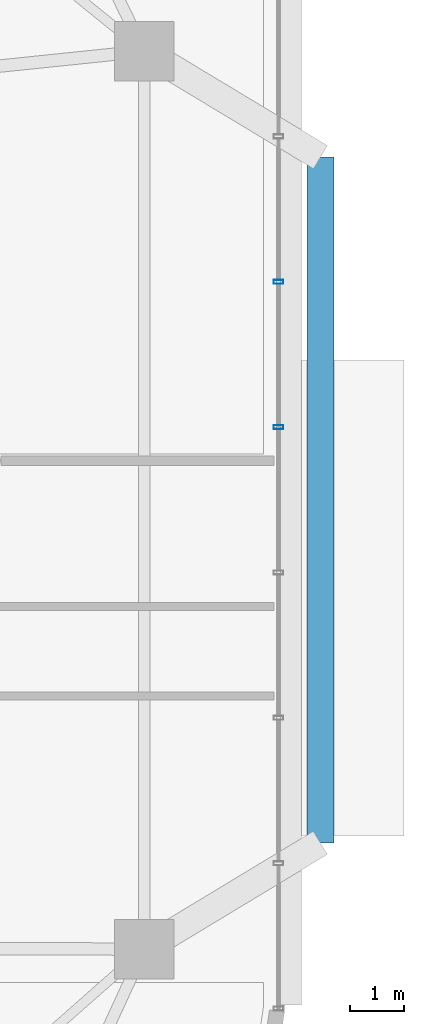
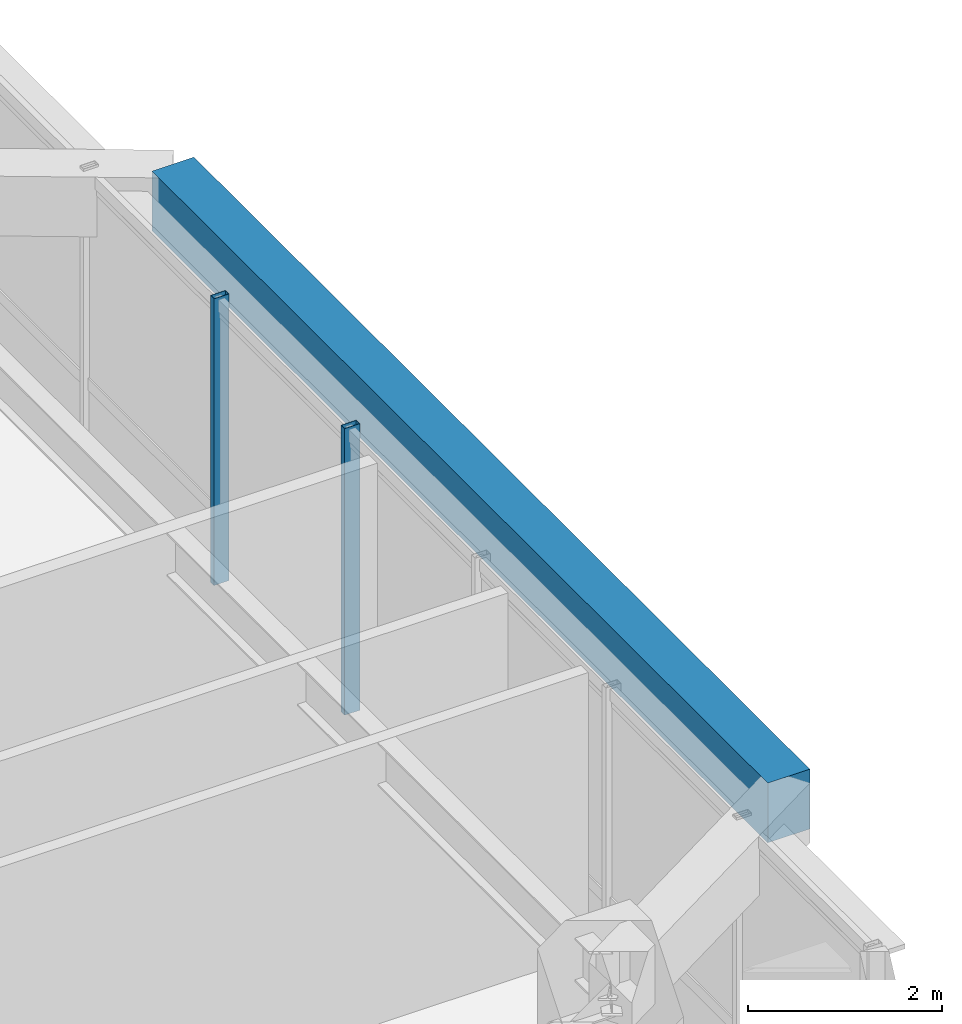
# One storey, part 5 of 15: 2 members, 1 beam, 1 element without a shape of its own.
"""IFC4 building model written with IfcOpenShell, lengths in metres."""

from ifc_helpers import new_model, si_unit, direction, frame, origin, origin_2d, place, context, subcontext, project, spatial, rectangle, hollow_rectangle, extrude, material, material_profile, profile_set, type_object, element, aggregate, save


model = new_model("IFC4")

# Units and contexts
model_context = context("Model", 3, precision=1e-05, world=origin(), true_north=direction((0.0, 1.0)))
body_context = subcontext(model_context, "Body", "Model", "MODEL_VIEW")
ifc_project = project(units=[si_unit("LENGTHUNIT", "METRE"), si_unit("AREAUNIT", "SQUARE_METRE"), si_unit("VOLUMEUNIT", "CUBIC_METRE"), si_unit("PLANEANGLEUNIT", "RADIAN"), si_unit("MASSUNIT", "GRAM", prefix="KILO")], contexts=[model_context])

# Site, building, storey
site_placement = place(None, origin())
site = spatial("IfcSite", under=ifc_project, at=site_placement, CompositionType="ELEMENT")
building_placement = place(site_placement, origin())
building = spatial("IfcBuilding", under=site, at=building_placement, Name="Zulverin Broadcast Headquarters", CompositionType="ELEMENT")
storey_placement = place(building_placement, frame((0.0, 0.0, 132.60009765625)))
storey = spatial("IfcBuildingStorey", under=building, at=storey_placement, Name="L33", CompositionType="ELEMENT", Elevation=132.60009765625)

# Beam
ifc_material_1 = material(Name="Concrete C40/50", Category="concrete")
ifc_material_profile_1 = material_profile(ifc_material_1, rectangle(XDim=0.5, YDim=0.75, at=origin_2d()), Name="Concrete C40/50", Category="concrete")
ifc_profile_set_1 = profile_set([ifc_material_profile_1], Name="Concrete C40/50")
beam_type = type_object("IfcBeamType", Name="BM-RC-500x750", PredefinedType="BEAM", material=ifc_profile_set_1)
beam_placement = place(storey_placement, frame((63.852783203125, 19.483642578125, 3.164794921875), z_axis=(0.000173323573, 0.999999984979, 0.0), x_axis=(-0.999999984979, 0.000173323573, 0.0)))
element("IfcBeam", 1, at=beam_placement, inside=storey, type_object=beam_type, Name="L34 Balcony Outer Edge Trimmer Beam BAL_E", PredefinedType="BEAM", context=body_context, shape_type="SweptSolid", body=[
    extrude(rectangle(XDim=0.5, YDim=0.75, at=origin_2d()), origin(), (0.0, 0.0, 1.0), 12.67724609375),
])

# Curtain wall, members
ifc_material_2 = material(Name="Waist wind-pressure unitised curtain wall", Category="aluminium")
curtain_wall_type = type_object("IfcCurtainWallType", Name="CW-TWR-WST", PredefinedType="USERDEFINED", material=ifc_material_2)
curtain_wall_placement = place(storey_placement, origin())
curtain_wall = element("IfcCurtainWall", 2, at=curtain_wall_placement, inside=storey, type_object=curtain_wall_type, Name="L33 Unitised Curtain Wall CW-L33-E3", ObjectType="UNITISED CURTAIN WALL", PredefinedType="USERDEFINED")
ifc_material_3 = material(Name="Anodized pale-metal aluminium alloy 6063-T6", Category="aluminium")
ifc_material_profile_2 = material_profile(ifc_material_3, hollow_rectangle(XDim=0.074951171875, YDim=0.179931640625, WallThickness=0.0048828125, at=origin_2d()), Name="Anodized pale-metal aluminium alloy 6063-T6", Category="aluminium")
ifc_profile_set_2 = profile_set([ifc_material_profile_2], Name="Anodized pale-metal aluminium alloy 6063-T6")
member_type = type_object("IfcMemberType", Name="CW-MUL-180", PredefinedType="MULLION", material=ifc_profile_set_2)
member_1_placement = place(storey_placement, frame((63.080078125, 27.167724609375, -0.030029296875), z_axis=(0.0, 0.0, 1.0), x_axis=(0.0, 1.0, 0.0)))
member_1 = element("IfcMember", 3, at=member_1_placement, type_object=member_type, Name="CW-L33-E3 Mullion 04", PredefinedType="MULLION", context=body_context, shape_type="SweptSolid", body=[
    extrude(hollow_rectangle(XDim=0.074951171875, YDim=0.179931640625, WallThickness=0.0048828125, at=origin_2d()), origin(), (0.0, 0.0, 1.0), 3.599853515625),
])
member_2_placement = place(storey_placement, frame((63.080078125, 29.855224609375, -0.030029296875), z_axis=(0.0, 0.0, 1.0), x_axis=(0.0, 1.0, 0.0)))
member_2 = element("IfcMember", 4, at=member_2_placement, type_object=member_type, Name="CW-L33-E3 Mullion 05", PredefinedType="MULLION", context=body_context, shape_type="SweptSolid", body=[
    extrude(hollow_rectangle(XDim=0.074951171875, YDim=0.179931640625, WallThickness=0.0048828125, at=origin_2d()), origin(), (0.0, 0.0, 1.0), 3.599853515625),
])
aggregate(curtain_wall, [member_1, member_2])

save(model, "model.ifc")
